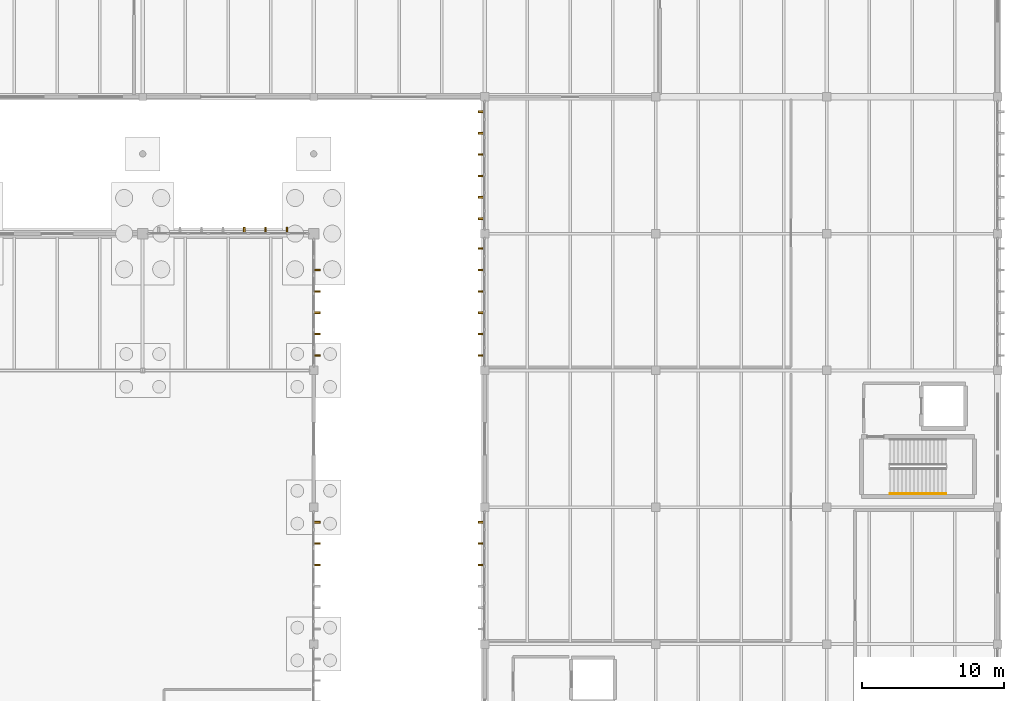
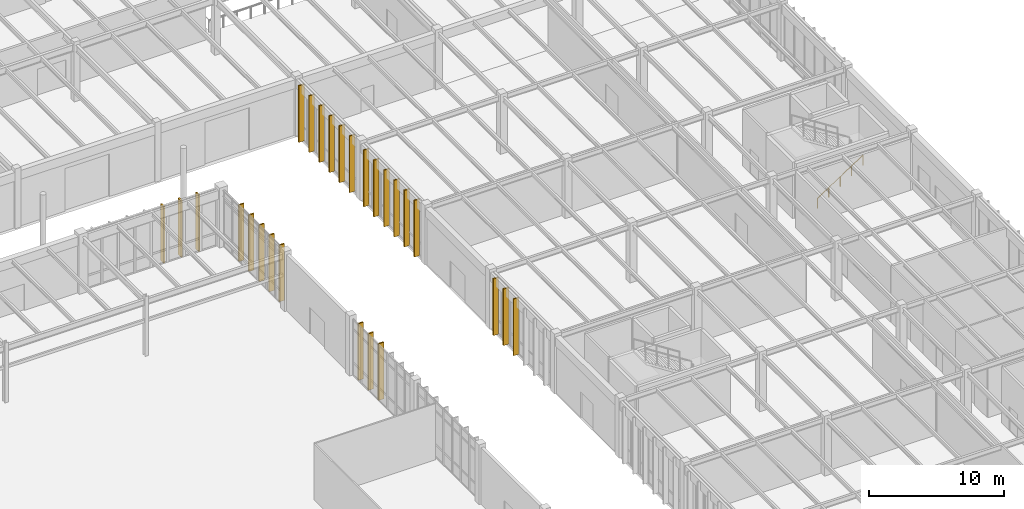
# One storey, part 185 of 188: 26 shading devices, 1 railing.
"""IFC4 building model written with IfcOpenShell, lengths in metres."""

from ifc_helpers import new_model, si_unit, direction, frame, origin, origin_2d, place, context, subcontext, project, spatial, rectangle, circle, extrude, material, type_object, element, save


model = new_model("IFC4")

# Units and contexts
model_context = context("Model", 3, precision=1e-05, world=origin(), true_north=direction((0.0, 1.0)))
body_context = subcontext(model_context, "Body", "Model", "MODEL_VIEW")
ifc_project = project(units=[si_unit("LENGTHUNIT", "METRE"), si_unit("AREAUNIT", "SQUARE_METRE"), si_unit("VOLUMEUNIT", "CUBIC_METRE"), si_unit("PLANEANGLEUNIT", "RADIAN"), si_unit("MASSUNIT", "GRAM", prefix="KILO")], contexts=[model_context])

# Site, building, storey
site_placement = place(None, origin())
site = spatial("IfcSite", under=ifc_project, at=site_placement, CompositionType="ELEMENT")
building_placement = place(site_placement, origin())
building = spatial("IfcBuilding", under=site, at=building_placement, Name="Pandanus Reach Market Hall", CompositionType="ELEMENT")
storey_placement = place(building_placement, origin())
storey = spatial("IfcBuildingStorey", under=building, at=storey_placement, Name="L00", CompositionType="ELEMENT", Elevation=0.0)

# Shading devices
ifc_material_1 = material(Name="Precast concrete S50 (50 MPa)", Category="concrete")
shading_device_type = type_object("IfcShadingDeviceType", Name="FN-S50-450", PredefinedType="JALOUSIE", material=ifc_material_1)
for number, where, z_axis, x_axis, name in (
    (1, (127.125, 86.6201171875, -0.010009765625), (0.0, 0.0, 1.0), (0.0, 1.0, 0.0), "Precast brise-soleil fin 61"),
    (2, (128.625, 86.6201171875, -0.010009765625), (0.0, 0.0, 1.0), (0.0, 1.0, 0.0), "Precast brise-soleil fin 62"),
    (3, (130.125, 86.6201171875, -0.010009765625), (0.0, 0.0, 1.0), (0.0, 1.0, 0.0), "Precast brise-soleil fin 63"),
    (4, (132.219970703125, 63.14990234375, -0.010009765625), (0.0, 0.0, 1.0), (1.0, 0.0, 0.0), "Precast brise-soleil fin 135"),
    (5, (132.219970703125, 64.64990234375, -0.010009765625), (0.0, 0.0, 1.0), (1.0, 0.0, 0.0), "Precast brise-soleil fin 136"),
    (6, (132.219970703125, 66.14990234375, -0.010009765625), (0.0, 0.0, 1.0), (1.0, 0.0, 0.0), "Precast brise-soleil fin 137"),
    (7, (132.219970703125, 77.85009765625, -0.010009765625), (0.0, 0.0, 1.0), (1.0, 0.0, 0.0), "Precast brise-soleil fin 166"),
    (8, (132.219970703125, 79.35009765625, -0.010009765625), (0.0, 0.0, 1.0), (1.0, 0.0, 0.0), "Precast brise-soleil fin 167"),
    (9, (132.219970703125, 80.85009765625, -0.010009765625), (0.0, 0.0, 1.0), (1.0, 0.0, 0.0), "Precast brise-soleil fin 168"),
    (10, (132.219970703125, 82.35009765625, -0.010009765625), (0.0, 0.0, 1.0), (1.0, 0.0, 0.0), "Precast brise-soleil fin 169"),
    (11, (132.219970703125, 83.85009765625, -0.010009765625), (0.0, 0.0, 1.0), (1.0, 0.0, 0.0), "Precast brise-soleil fin 170"),
    (12, (143.780029296875, 63.14990234375, -0.010009765625), (0.0, 0.0, 1.0), (-1.0, 0.0, 0.0), "Precast brise-soleil fin 318"),
    (13, (143.780029296875, 64.64990234375, -0.010009765625), (0.0, 0.0, 1.0), (-1.0, 0.0, 0.0), "Precast brise-soleil fin 319"),
    (14, (143.780029296875, 66.14990234375, -0.010009765625), (0.0, 0.0, 1.0), (-1.0, 0.0, 0.0), "Precast brise-soleil fin 320"),
    (15, (143.780029296875, 77.85009765625, -0.010009765625), (0.0, 0.0, 1.0), (-1.0, 0.0, 0.0), "Precast brise-soleil fin 321"),
    (16, (143.780029296875, 79.35009765625, -0.010009765625), (0.0, 0.0, 1.0), (-1.0, 0.0, 0.0), "Precast brise-soleil fin 322"),
    (17, (143.780029296875, 80.85009765625, -0.010009765625), (0.0, 0.0, 1.0), (-1.0, 0.0, 0.0), "Precast brise-soleil fin 323"),
    (18, (143.780029296875, 82.35009765625, -0.010009765625), (0.0, 0.0, 1.0), (-1.0, 0.0, 0.0), "Precast brise-soleil fin 324"),
    (19, (143.780029296875, 83.85009765625, -0.010009765625), (0.0, 0.0, 1.0), (-1.0, 0.0, 0.0), "Precast brise-soleil fin 325"),
    (20, (143.780029296875, 85.35009765625, -0.010009765625), (0.0, 0.0, 1.0), (-1.0, 0.0, 0.0), "Precast brise-soleil fin 326"),
    (21, (143.780029296875, 87.449951171875, -0.010009765625), (0.0, 0.0, 1.0), (-1.0, 0.0, 0.0), "Precast brise-soleil fin 327"),
    (22, (143.780029296875, 88.949951171875, -0.010009765625), (0.0, 0.0, 1.0), (-1.0, 0.0, 0.0), "Precast brise-soleil fin 328"),
    (23, (143.780029296875, 90.449951171875, -0.010009765625), (0.0, 0.0, 1.0), (-1.0, 0.0, 0.0), "Precast brise-soleil fin 329"),
    (24, (143.780029296875, 91.949951171875, -0.010009765625), (0.0, 0.0, 1.0), (-1.0, 0.0, 0.0), "Precast brise-soleil fin 330"),
    (25, (143.780029296875, 93.449951171875, -0.010009765625), (0.0, 0.0, 1.0), (-1.0, 0.0, 0.0), "Precast brise-soleil fin 331"),
    (26, (143.780029296875, 94.949951171875, -0.010009765625), (0.0, 0.0, 1.0), (-1.0, 0.0, 0.0), "Precast brise-soleil fin 332"),
):
    element("IfcShadingDevice", number, at=place(storey_placement, frame(where, z_axis=z_axis, x_axis=x_axis)), inside=storey, type_object=shading_device_type, Name=name, PredefinedType="JALOUSIE", context=body_context, shape_type="SweptSolid", body=[
        extrude(rectangle(XDim=0.449951171875, YDim=0.1201171875, at=origin_2d()), origin(), (0.0, 0.0, 1.0), 5.1201171875),
    ])

# Railing
ifc_material_2 = material(Name="Brushed stainless steel", Category="steel")
railing_type = type_object("IfcRailingType", Name="HR-WAL-090", PredefinedType="HANDRAIL", material=ifc_material_2)
railing_placement = place(storey_placement, frame((172.449951171875, 68.14990234375, 0.179931640625)))
element("IfcRailing", 27, at=railing_placement, inside=storey, type_object=railing_type, Name="Stair handrail ST-02 L00.42", PredefinedType="HANDRAIL", context=body_context, shape_type="SweptSolid", body=[
    extrude(circle(Radius=0.02392578125, at=origin_2d()), frame((0.0, 0.0, 0.8759765625), z_axis=(0.841186985886, 0.0, 0.540744352514), x_axis=(0.0, 1.0, 0.0)), (0.0, 0.0, 1.0), 4.660400390625),
    extrude(circle(Radius=0.02099609375, at=origin_2d()), origin(), (0.0, 0.0, 1.0), 0.851806640625),
    extrude(circle(Radius=0.02099609375, at=origin_2d()), frame((0.97998046875, 0.0, 0.6298828125)), (0.0, 0.0, 1.0), 0.851806640625),
    extrude(circle(Radius=0.02099609375, at=origin_2d()), frame((1.9599609375, 0.0, 1.260009765625)), (0.0, 0.0, 1.0), 0.851806640625),
    extrude(circle(Radius=0.02099609375, at=origin_2d()), frame((2.940185546875, 0.0, 1.89013671875)), (0.0, 0.0, 1.0), 0.851806640625),
    extrude(circle(Radius=0.02099609375, at=origin_2d()), frame((3.920166015625, 0.0, 2.52001953125)), (0.0, 0.0, 1.0), 0.851806640625),
])

save(model, "model.ifc")
